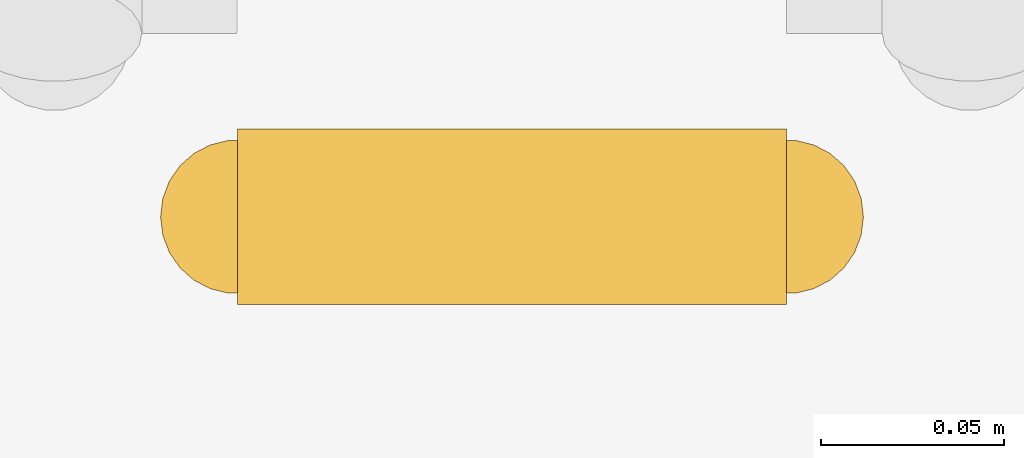
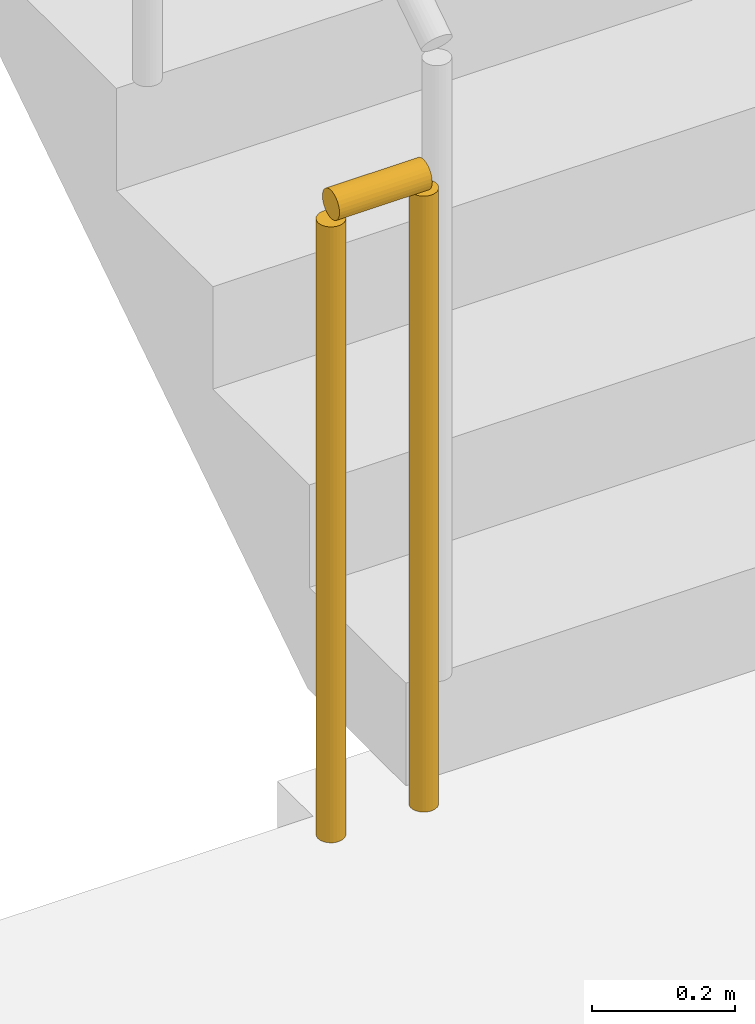
# One storey, part 14 of 19: 1 railing.
"""IFC4 building model written with IfcOpenShell, lengths in metres."""

from ifc_helpers import new_model, si_unit, direction, frame, origin, origin_2d, place, context, subcontext, project, spatial, circle, extrude, material, type_object, element, save


model = new_model("IFC4")

# Units and contexts
model_context = context("Model", 3, precision=1e-05, world=origin(), true_north=direction((0.0, 1.0)))
body_context = subcontext(model_context, "Body", "Model", "MODEL_VIEW")
ifc_project = project(units=[si_unit("LENGTHUNIT", "METRE"), si_unit("AREAUNIT", "SQUARE_METRE"), si_unit("VOLUMEUNIT", "CUBIC_METRE"), si_unit("PLANEANGLEUNIT", "RADIAN"), si_unit("MASSUNIT", "GRAM", prefix="KILO")], contexts=[model_context])

# Site, building, storey
site_placement = place(None, origin())
site = spatial("IfcSite", under=ifc_project, at=site_placement, CompositionType="ELEMENT")
building_placement = place(site_placement, origin())
building = spatial("IfcBuilding", under=site, at=building_placement, Name="Saffron Iwan Residences", CompositionType="ELEMENT")
storey_placement = place(building_placement, frame((0.0, 0.0, 239.5)))
storey = spatial("IfcBuildingStorey", under=building, at=storey_placement, Name="L64", CompositionType="ELEMENT", Elevation=239.5)

# Railing
ifc_material = material(Name="Steel S355", Category="steel")
railing_type = type_object("IfcRailingType", Name="Stair guard 1100", PredefinedType="GUARDRAIL", material=ifc_material)
railing_placement = place(storey_placement, frame((31.25, 67.800048828125, 0.0)))
element("IfcRailing", 1, at=railing_placement, inside=storey, type_object=railing_type, Name="L64 ST-W stair guard 2", PredefinedType="GUARDRAIL", context=body_context, shape_type="SweptSolid", body=[
    extrude(circle(Radius=0.02392578125, at=origin_2d()), frame((0.0, 0.0, 1.076171875), z_axis=(-1.0, 0.0, 0.0), x_axis=(0.0, -1.0, 0.0)), (0.0, 0.0, 1.0), 0.14990234375),
    extrude(circle(Radius=0.02099609375, at=origin_2d()), origin(), (0.0, 0.0, 1.0), 1.052001953125),
    extrude(circle(Radius=0.02099609375, at=origin_2d()), frame((-0.14990234375, 0.0, 0.0)), (0.0, 0.0, 1.0), 1.052001953125),
])

save(model, "model.ifc")
